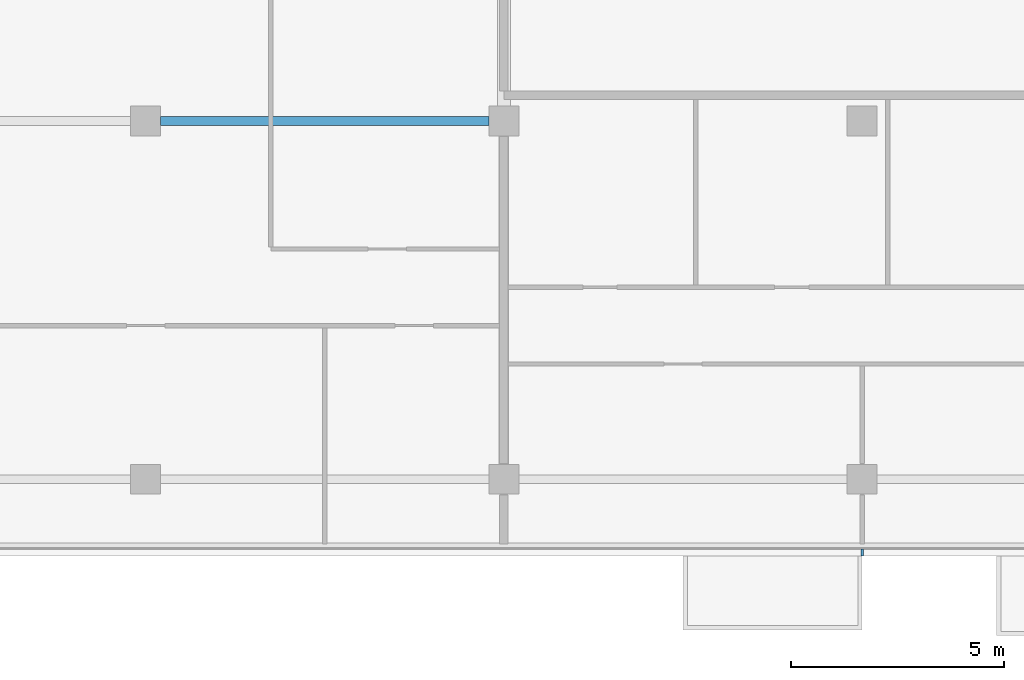
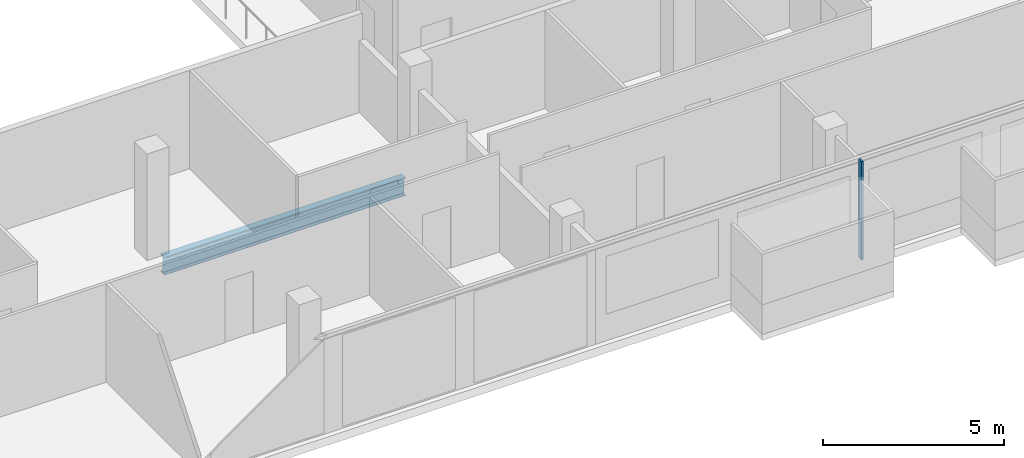
# One storey, part 6 of 29: 1 beam, 1 member, 1 element without a shape of its own.
"""IFC4 building model written with IfcOpenShell, lengths in metres."""

import ifcopenshell
import ifcopenshell.guid

model = None  # the IFC model being written
_history = None  # IfcOwnerHistory: only IFC2X3 demands one
_inside = {}  # id of a spatial element -> (the spatial element, [elements in it])
_under = {}  # id of a project, library or spatial element -> (it, [spatial elements below it])
_declared = {}  # id of a project -> (the project, [libraries it declares])
_typed = {}  # id of a type object -> (the type object, [elements of that type])
_made_of = {}  # id of a material, layer set ... -> (it, [elements and type objects made of it])


def new_model(schema):
    """Start an empty IFC model of exactly this schema.

    Asked for "IFC4X3", IfcOpenShell would pick the latest addendum, in which some entities
    have other attributes; the version numbers below select the first issue.
    IFC2X3 requires an IfcOwnerHistory on every rooted entity: one is made here for all.
    """
    global model, _history
    if schema == "IFC4X3":
        model = ifcopenshell.file(schema_version=(4, 3, 0, 0))
    else:
        model = ifcopenshell.file(schema=schema)
    _inside.clear()
    _under.clear()
    _declared.clear()
    _typed.clear()
    _made_of.clear()
    _history = None
    if model.schema == "IFC2X3":
        org = make("IfcOrganization", Name="unknown")
        user = make(
            "IfcPersonAndOrganization",
            ThePerson=make("IfcPerson", FamilyName="unknown"),
            TheOrganization=org,
        )
        app = make(
            "IfcApplication",
            ApplicationDeveloper=org,
            Version="unknown",
            ApplicationFullName="unknown",
            ApplicationIdentifier="unknown",
        )
        _history = make(
            "IfcOwnerHistory",
            OwningUser=user,
            OwningApplication=app,
            ChangeAction="ADDED",
            CreationDate=0,
        )
    return model


def make(cls, **values):
    """One entity of the class cls with the attributes given. An attribute that is None is left unset."""
    return model.create_entity(
        cls, **{name: value for name, value in values.items() if value is not None}
    )


def rooted(cls, **values):
    """An entity with a GlobalId (a new one), such as an element, a storey or a relation."""
    return make(cls, GlobalId=ifcopenshell.guid.new(), OwnerHistory=_history, **values)


def si_unit(unit_type, name, prefix=None):
    """IfcSIUnit, for example si_unit("LENGTHUNIT", "METRE", prefix="MILLI")."""
    return make("IfcSIUnit", UnitType=unit_type, Prefix=prefix, Name=name)


def assignment(units):
    """IfcUnitAssignment: the units of a project."""
    return None if units is None else make("IfcUnitAssignment", Units=units)


def point(xyz):
    """IfcCartesianPoint."""
    return None if xyz is None else make("IfcCartesianPoint", Coordinates=xyz)


def direction(xyz):
    """IfcDirection."""
    return None if xyz is None else make("IfcDirection", DirectionRatios=xyz)


def frame(location, z_axis=None, x_axis=None):
    """IfcAxis2Placement3D, a coordinate frame: its origin and axes. An axis left out is left unset."""
    return make(
        "IfcAxis2Placement3D",
        Location=point(location),
        Axis=direction(z_axis),
        RefDirection=direction(x_axis),
    )


def frame_2d(location, x_axis=None):
    """IfcAxis2Placement2D, a coordinate frame in the plane: its origin and x axis."""
    return make(
        "IfcAxis2Placement2D", Location=point(location), RefDirection=direction(x_axis)
    )


def origin():
    """The frame at (0, 0, 0) with its axes left unset."""
    return frame((0.0, 0.0, 0.0))


def origin_2d():
    """The frame at (0, 0) in the plane with its x axis left unset."""
    return frame_2d((0.0, 0.0))


def place(relative_to, where):
    """IfcLocalPlacement: puts the frame where relative to a parent placement (None: the world)."""
    return make(
        "IfcLocalPlacement", PlacementRelTo=relative_to, RelativePlacement=where
    )


def context(
    kind, dimensions, precision=None, world=None, true_north=None, identifier=None
):
    """IfcGeometricRepresentationContext, for example the 3D "Model" context."""
    return make(
        "IfcGeometricRepresentationContext",
        ContextIdentifier=identifier,
        ContextType=kind,
        CoordinateSpaceDimension=dimensions,
        Precision=precision,
        WorldCoordinateSystem=world,
        TrueNorth=true_north,
    )


def subcontext(parent, identifier, kind, view, scale=None):
    """IfcGeometricRepresentationSubContext, for example "Body" below "Model"."""
    return make(
        "IfcGeometricRepresentationSubContext",
        ContextIdentifier=identifier,
        ContextType=kind,
        ParentContext=parent,
        TargetScale=scale,
        TargetView=view,
    )


def project(units=None, contexts=None):
    """IfcProject with its units and contexts."""
    return rooted(
        "IfcProject",
        Name="project",
        RepresentationContexts=contexts,
        UnitsInContext=assignment(units),
    )


def spatial(cls, under=None, at=None, **own):
    """A site, building, storey or space (cls), placed at a placement, below another one or the project."""
    s = rooted(cls, ObjectPlacement=at, **own)
    if under is not None:
        _under.setdefault(under.id(), (under, []))[1].append(s)
    return s


def profile(cls, at=None, kind="AREA", **sizes):
    """A parametric profile (cls). Its sizes go by their IFC names, for example OverallWidth=200.0."""
    return make(cls, ProfileType=kind, Position=at, **sizes)


def rectangle(**sizes):
    """IfcRectangleProfileDef."""
    return profile("IfcRectangleProfileDef", **sizes)


def i_section(**sizes):
    """IfcIShapeProfileDef."""
    return profile("IfcIShapeProfileDef", **sizes)


def extrude(swept, where, along, depth):
    """IfcExtrudedAreaSolid: the profile swept, set in the frame where, extruded along a direction by depth."""
    return make(
        "IfcExtrudedAreaSolid",
        SweptArea=swept,
        Position=where,
        ExtrudedDirection=direction(along),
        Depth=depth,
    )


def shape(context_of_items, identifier, shape_type, items):
    """IfcShapeRepresentation: the items that make up one representation, for example the "Body"."""
    return make(
        "IfcShapeRepresentation",
        ContextOfItems=context_of_items,
        RepresentationIdentifier=identifier,
        RepresentationType=shape_type,
        Items=items,
    )


def material(Name=None, Category=None):
    """IfcMaterial."""
    return make("IfcMaterial", Name=Name, Category=Category)


def material_profile(
    of_material, cross_section, Name=None, Category=None, Priority=None
):
    """IfcMaterialProfile: a cross section and its material."""
    return make(
        "IfcMaterialProfile",
        Name=Name,
        Material=of_material,
        Profile=cross_section,
        Priority=Priority,
        Category=Category,
    )


def profile_set(profiles, Name=None, composite=None):
    """IfcMaterialProfileSet."""
    return make(
        "IfcMaterialProfileSet",
        Name=Name,
        MaterialProfiles=profiles,
        CompositeProfile=composite,
    )


def made_of(thing, what):
    """Note that an element or type object is made of a material, layer set ...; save() writes the relation."""
    if what is not None:
        _made_of.setdefault(what.id(), (what, []))[1].append(thing)
    return thing


def type_object(cls, material=None, **own):
    """A type object (cls), such as IfcWallType, which elements share."""
    return made_of(rooted(cls, **own), material)


def element(
    cls,
    number,
    at=None,
    inside=None,
    cuts=None,
    type_object=None,
    material=None,
    context=None,
    identifier="Body",
    shape_type=None,
    held_by="IfcProductDefinitionShape",
    body=None,
    shapes=None,
    **own,
):
    """One element of the class cls, such as IfcWall. Its Tag is "e" and its number.

    at: its placement. inside: the storey or other place that contains it. cuts: it is an
    opening in that element (IfcRelVoidsElement). A single representation is given by context,
    identifier, shape_type and body (its items); several are given by shapes. held_by: the class
    of the entity that holds the representations. save() writes the other relations.
    """
    e = rooted(cls, Tag="e%d" % number, ObjectPlacement=at, **own)
    if body is not None:
        shapes = [shape(context, identifier, shape_type, body)]
    if shapes is not None:
        e.Representation = make(held_by, Representations=shapes)
    if inside is not None:
        _inside.setdefault(inside.id(), (inside, []))[1].append(e)
    if cuts is not None:
        rooted(
            "IfcRelVoidsElement", RelatingBuildingElement=cuts, RelatedOpeningElement=e
        )
    if type_object is not None:
        _typed.setdefault(type_object.id(), (type_object, []))[1].append(e)
    return made_of(e, material)


def aggregate(whole, parts):
    """IfcRelAggregates: a whole, such as a stair, and the parts it consists of."""
    return rooted("IfcRelAggregates", RelatingObject=whole, RelatedObjects=parts)


def save(model, path):
    """Write the relations noted so far, then the file.

    IfcRelAggregates (storeys below a building ...), IfcRelContainedInSpatialStructure (elements
    in a storey), IfcRelDefinesByType, IfcRelAssociatesMaterial and IfcRelDeclares: one each for
    every whole, place, type object, material and project.
    """
    for whole, parts in _under.values():
        aggregate(whole, parts)
    for where, things in _inside.values():
        rooted(
            "IfcRelContainedInSpatialStructure",
            RelatedElements=things,
            RelatingStructure=where,
        )
    for kind, things in _typed.values():
        rooted("IfcRelDefinesByType", RelatedObjects=things, RelatingType=kind)
    for what, things in _made_of.values():
        rooted("IfcRelAssociatesMaterial", RelatedObjects=things, RelatingMaterial=what)
    for by, libraries in _declared.values():
        rooted("IfcRelDeclares", RelatingContext=by, RelatedDefinitions=libraries)
    model.write(path)


model = new_model("IFC4")

# Units and contexts
model_context = context("Model", 3, precision=1e-05, world=origin(), true_north=direction((0.0, 1.0)))
body_context = subcontext(model_context, "Body", "Model", "MODEL_VIEW")
ifc_project = project(units=[si_unit("LENGTHUNIT", "METRE"), si_unit("AREAUNIT", "SQUARE_METRE"), si_unit("VOLUMEUNIT", "CUBIC_METRE"), si_unit("PLANEANGLEUNIT", "RADIAN"), si_unit("MASSUNIT", "GRAM", prefix="KILO")], contexts=[model_context])

# Site, building, storey
site_placement = place(None, origin())
site = spatial("IfcSite", under=ifc_project, at=site_placement, CompositionType="ELEMENT")
building_placement = place(site_placement, origin())
building = spatial("IfcBuilding", under=site, at=building_placement, Name="Saffron Gate Tower", CompositionType="ELEMENT")
storey_placement = place(building_placement, frame((0.0, 0.0, 161.85009765625)))
storey = spatial("IfcBuildingStorey", under=building, at=storey_placement, Name="L39", CompositionType="ELEMENT", Elevation=161.85009765625)

# Beam
ifc_material_1 = material(Name="Structural steel S355", Category="steel")
ifc_material_profile_1 = material_profile(ifc_material_1, i_section(OverallWidth=0.219970703125, OverallDepth=0.60009765625, WebThickness=0.011962890625, FlangeThickness=0.01904296875, FilletRadius=0.02392578125, at=origin_2d()))
ifc_profile_set_1 = profile_set([ifc_material_profile_1], Name="Structural steel S355")
beam_type = type_object("IfcBeamType", Name="B15 IPE 600", PredefinedType="BEAM", material=ifc_profile_set_1)
beam_placement = place(storey_placement, frame((92.14990234375, 40.199951171875, -0.580078125), z_axis=(1.0, 0.0, 0.0), x_axis=(0.0, 1.0, 0.0)))
element("IfcBeam", 1, at=beam_placement, inside=storey, type_object=beam_type, Name="B15 FLOOR GIRDER", PredefinedType="BEAM", context=body_context, shape_type="SweptSolid", body=[
    extrude(i_section(OverallWidth=0.219970703125, OverallDepth=0.60009765625, WebThickness=0.011962890625, FlangeThickness=0.01904296875, FilletRadius=0.02392578125, at=origin_2d()), origin(), (0.0, 0.0, 1.0), 7.7001953125),
])

# Curtain wall, member
ifc_material_2 = material(Name="Aluminium, bronze anodised", Category="aluminium")
curtain_wall_type = type_object("IfcCurtainWallType", Name="CWS1 curtain wall front facade", PredefinedType="NOTDEFINED", material=ifc_material_2)
curtain_wall_placement = place(storey_placement, origin())
curtain_wall = element("IfcCurtainWall", 2, at=curtain_wall_placement, inside=storey, type_object=curtain_wall_type, Name="CWS1 run 1", PredefinedType="NOTDEFINED")
ifc_material_profile_2 = material_profile(ifc_material_2, rectangle(XDim=0.159912109375, YDim=0.06005859375, at=origin_2d()))
ifc_profile_set_2 = profile_set([ifc_material_profile_2], Name="Aluminium, bronze anodised")
member_type = type_object("IfcMemberType", Name="CWS1 mullion 60x160", PredefinedType="MULLION", material=ifc_profile_set_2)
member_placement = place(storey_placement, frame((108.60009765625, 30.080078125, 0.0), z_axis=(0.0, 0.0, 1.0), x_axis=(0.0, 1.0, 0.0)))
member = element("IfcMember", 3, at=member_placement, type_object=member_type, Name="CWS1 mullion 8", PredefinedType="MULLION", context=body_context, shape_type="SweptSolid", body=[
    extrude(rectangle(XDim=0.159912109375, YDim=0.06005859375, at=origin_2d()), origin(), (0.0, 0.0, 1.0), 3.31982421875),
])
aggregate(curtain_wall, [member])

save(model, "model.ifc")
